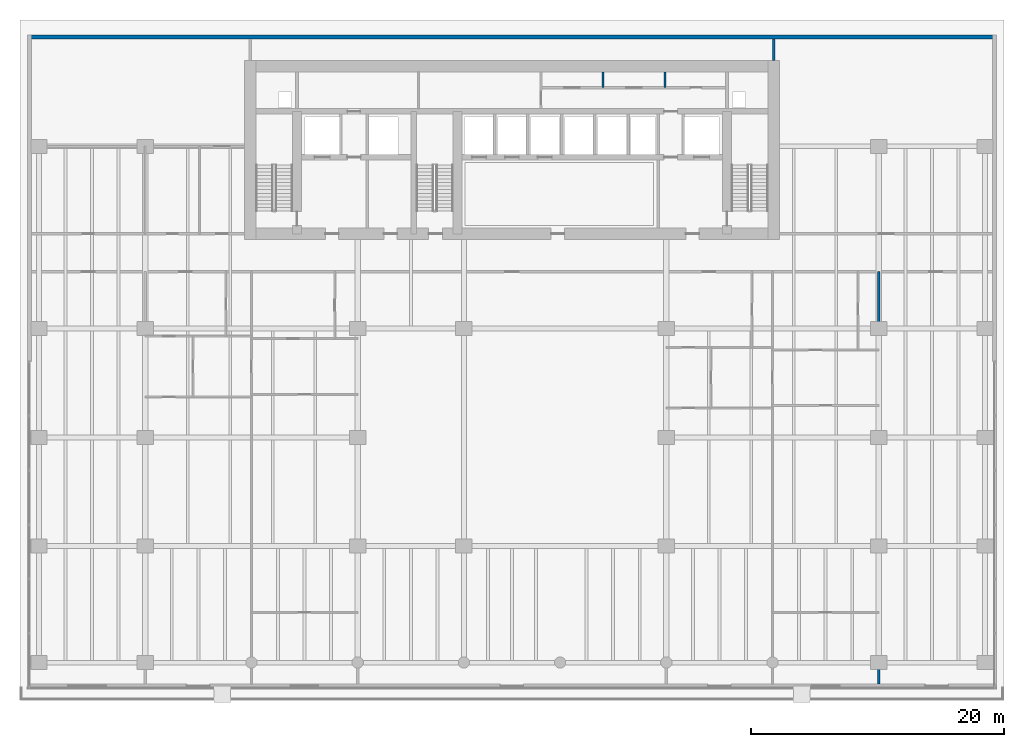
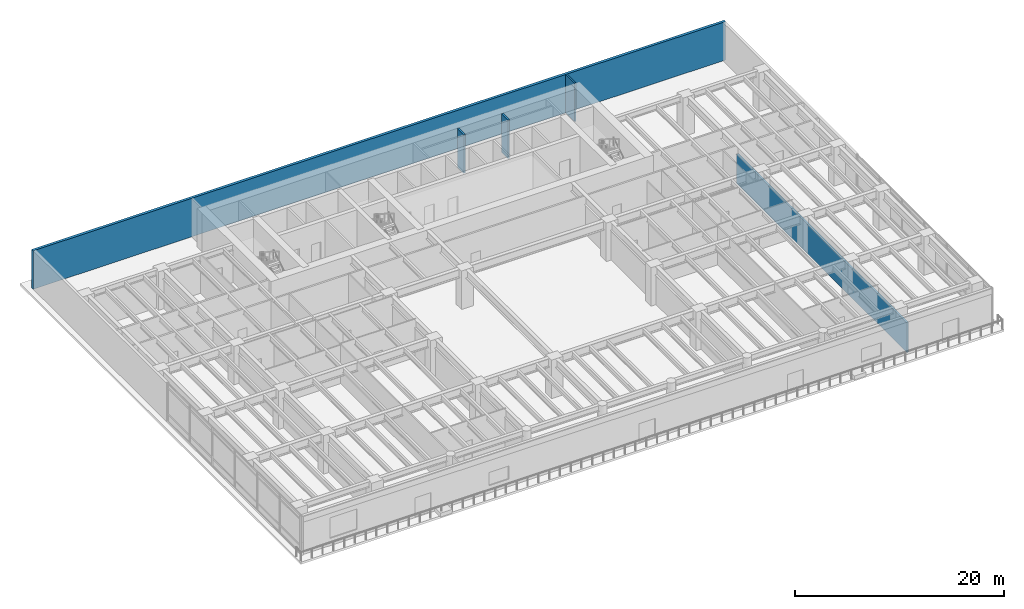
# One storey, part 12 of 17: 5 walls.
"""IFC4 building model written with IfcOpenShell, lengths in metres."""

import ifcopenshell
import ifcopenshell.guid

model = None  # the IFC model being written
_history = None  # IfcOwnerHistory: only IFC2X3 demands one
_inside = {}  # id of a spatial element -> (the spatial element, [elements in it])
_under = {}  # id of a project, library or spatial element -> (it, [spatial elements below it])
_declared = {}  # id of a project -> (the project, [libraries it declares])
_typed = {}  # id of a type object -> (the type object, [elements of that type])
_made_of = {}  # id of a material, layer set ... -> (it, [elements and type objects made of it])


def new_model(schema):
    """Start an empty IFC model of exactly this schema.

    Asked for "IFC4X3", IfcOpenShell would pick the latest addendum, in which some entities
    have other attributes; the version numbers below select the first issue.
    IFC2X3 requires an IfcOwnerHistory on every rooted entity: one is made here for all.
    """
    global model, _history
    if schema == "IFC4X3":
        model = ifcopenshell.file(schema_version=(4, 3, 0, 0))
    else:
        model = ifcopenshell.file(schema=schema)
    _inside.clear()
    _under.clear()
    _declared.clear()
    _typed.clear()
    _made_of.clear()
    _history = None
    if model.schema == "IFC2X3":
        org = make("IfcOrganization", Name="unknown")
        user = make(
            "IfcPersonAndOrganization",
            ThePerson=make("IfcPerson", FamilyName="unknown"),
            TheOrganization=org,
        )
        app = make(
            "IfcApplication",
            ApplicationDeveloper=org,
            Version="unknown",
            ApplicationFullName="unknown",
            ApplicationIdentifier="unknown",
        )
        _history = make(
            "IfcOwnerHistory",
            OwningUser=user,
            OwningApplication=app,
            ChangeAction="ADDED",
            CreationDate=0,
        )
    return model


def make(cls, **values):
    """One entity of the class cls with the attributes given. An attribute that is None is left unset."""
    return model.create_entity(
        cls, **{name: value for name, value in values.items() if value is not None}
    )


def rooted(cls, **values):
    """An entity with a GlobalId (a new one), such as an element, a storey or a relation."""
    return make(cls, GlobalId=ifcopenshell.guid.new(), OwnerHistory=_history, **values)


def si_unit(unit_type, name, prefix=None):
    """IfcSIUnit, for example si_unit("LENGTHUNIT", "METRE", prefix="MILLI")."""
    return make("IfcSIUnit", UnitType=unit_type, Prefix=prefix, Name=name)


def assignment(units):
    """IfcUnitAssignment: the units of a project."""
    return None if units is None else make("IfcUnitAssignment", Units=units)


def point(xyz):
    """IfcCartesianPoint."""
    return None if xyz is None else make("IfcCartesianPoint", Coordinates=xyz)


def direction(xyz):
    """IfcDirection."""
    return None if xyz is None else make("IfcDirection", DirectionRatios=xyz)


def frame(location, z_axis=None, x_axis=None):
    """IfcAxis2Placement3D, a coordinate frame: its origin and axes. An axis left out is left unset."""
    return make(
        "IfcAxis2Placement3D",
        Location=point(location),
        Axis=direction(z_axis),
        RefDirection=direction(x_axis),
    )


def frame_2d(location, x_axis=None):
    """IfcAxis2Placement2D, a coordinate frame in the plane: its origin and x axis."""
    return make(
        "IfcAxis2Placement2D", Location=point(location), RefDirection=direction(x_axis)
    )


def origin():
    """The frame at (0, 0, 0) with its axes left unset."""
    return frame((0.0, 0.0, 0.0))


def place(relative_to, where):
    """IfcLocalPlacement: puts the frame where relative to a parent placement (None: the world)."""
    return make(
        "IfcLocalPlacement", PlacementRelTo=relative_to, RelativePlacement=where
    )


def context(
    kind, dimensions, precision=None, world=None, true_north=None, identifier=None
):
    """IfcGeometricRepresentationContext, for example the 3D "Model" context."""
    return make(
        "IfcGeometricRepresentationContext",
        ContextIdentifier=identifier,
        ContextType=kind,
        CoordinateSpaceDimension=dimensions,
        Precision=precision,
        WorldCoordinateSystem=world,
        TrueNorth=true_north,
    )


def subcontext(parent, identifier, kind, view, scale=None):
    """IfcGeometricRepresentationSubContext, for example "Body" below "Model"."""
    return make(
        "IfcGeometricRepresentationSubContext",
        ContextIdentifier=identifier,
        ContextType=kind,
        ParentContext=parent,
        TargetScale=scale,
        TargetView=view,
    )


def project(units=None, contexts=None):
    """IfcProject with its units and contexts."""
    return rooted(
        "IfcProject",
        Name="project",
        RepresentationContexts=contexts,
        UnitsInContext=assignment(units),
    )


def spatial(cls, under=None, at=None, **own):
    """A site, building, storey or space (cls), placed at a placement, below another one or the project."""
    s = rooted(cls, ObjectPlacement=at, **own)
    if under is not None:
        _under.setdefault(under.id(), (under, []))[1].append(s)
    return s


def profile(cls, at=None, kind="AREA", **sizes):
    """A parametric profile (cls). Its sizes go by their IFC names, for example OverallWidth=200.0."""
    return make(cls, ProfileType=kind, Position=at, **sizes)


def rectangle(**sizes):
    """IfcRectangleProfileDef."""
    return profile("IfcRectangleProfileDef", **sizes)


def extrude(swept, where, along, depth):
    """IfcExtrudedAreaSolid: the profile swept, set in the frame where, extruded along a direction by depth."""
    return make(
        "IfcExtrudedAreaSolid",
        SweptArea=swept,
        Position=where,
        ExtrudedDirection=direction(along),
        Depth=depth,
    )


def shape(context_of_items, identifier, shape_type, items):
    """IfcShapeRepresentation: the items that make up one representation, for example the "Body"."""
    return make(
        "IfcShapeRepresentation",
        ContextOfItems=context_of_items,
        RepresentationIdentifier=identifier,
        RepresentationType=shape_type,
        Items=items,
    )


def material(Name=None, Category=None):
    """IfcMaterial."""
    return make("IfcMaterial", Name=Name, Category=Category)


def layer(
    of_material, thickness, ventilated=None, Name=None, Category=None, Priority=None
):
    """IfcMaterialLayer: one layer of a wall or slab, of a material (None: an air gap)."""
    return make(
        "IfcMaterialLayer",
        Material=of_material,
        LayerThickness=thickness,
        IsVentilated=ventilated,
        Name=Name,
        Category=Category,
        Priority=Priority,
    )


def layer_set(layers, Name=None):
    """IfcMaterialLayerSet."""
    return make("IfcMaterialLayerSet", MaterialLayers=layers, LayerSetName=Name)


def made_of(thing, what):
    """Note that an element or type object is made of a material, layer set ...; save() writes the relation."""
    if what is not None:
        _made_of.setdefault(what.id(), (what, []))[1].append(thing)
    return thing


def type_object(cls, material=None, **own):
    """A type object (cls), such as IfcWallType, which elements share."""
    return made_of(rooted(cls, **own), material)


def element(
    cls,
    number,
    at=None,
    inside=None,
    cuts=None,
    type_object=None,
    material=None,
    context=None,
    identifier="Body",
    shape_type=None,
    held_by="IfcProductDefinitionShape",
    body=None,
    shapes=None,
    **own,
):
    """One element of the class cls, such as IfcWall. Its Tag is "e" and its number.

    at: its placement. inside: the storey or other place that contains it. cuts: it is an
    opening in that element (IfcRelVoidsElement). A single representation is given by context,
    identifier, shape_type and body (its items); several are given by shapes. held_by: the class
    of the entity that holds the representations. save() writes the other relations.
    """
    e = rooted(cls, Tag="e%d" % number, ObjectPlacement=at, **own)
    if body is not None:
        shapes = [shape(context, identifier, shape_type, body)]
    if shapes is not None:
        e.Representation = make(held_by, Representations=shapes)
    if inside is not None:
        _inside.setdefault(inside.id(), (inside, []))[1].append(e)
    if cuts is not None:
        rooted(
            "IfcRelVoidsElement", RelatingBuildingElement=cuts, RelatedOpeningElement=e
        )
    if type_object is not None:
        _typed.setdefault(type_object.id(), (type_object, []))[1].append(e)
    return made_of(e, material)


def aggregate(whole, parts):
    """IfcRelAggregates: a whole, such as a stair, and the parts it consists of."""
    return rooted("IfcRelAggregates", RelatingObject=whole, RelatedObjects=parts)


def save(model, path):
    """Write the relations noted so far, then the file.

    IfcRelAggregates (storeys below a building ...), IfcRelContainedInSpatialStructure (elements
    in a storey), IfcRelDefinesByType, IfcRelAssociatesMaterial and IfcRelDeclares: one each for
    every whole, place, type object, material and project.
    """
    for whole, parts in _under.values():
        aggregate(whole, parts)
    for where, things in _inside.values():
        rooted(
            "IfcRelContainedInSpatialStructure",
            RelatedElements=things,
            RelatingStructure=where,
        )
    for kind, things in _typed.values():
        rooted("IfcRelDefinesByType", RelatedObjects=things, RelatingType=kind)
    for what, things in _made_of.values():
        rooted("IfcRelAssociatesMaterial", RelatedObjects=things, RelatingMaterial=what)
    for by, libraries in _declared.values():
        rooted("IfcRelDeclares", RelatingContext=by, RelatedDefinitions=libraries)
    model.write(path)


model = new_model("IFC4")

# Units and contexts
model_context = context("Model", 3, precision=1e-05, world=origin(), true_north=direction((0.0, 1.0)))
body_context = subcontext(model_context, "Body", "Model", "MODEL_VIEW")
ifc_project = project(units=[si_unit("LENGTHUNIT", "METRE"), si_unit("AREAUNIT", "SQUARE_METRE"), si_unit("VOLUMEUNIT", "CUBIC_METRE"), si_unit("PLANEANGLEUNIT", "RADIAN"), si_unit("MASSUNIT", "GRAM", prefix="KILO")], contexts=[model_context])

# Site, building, storey
site_placement = place(None, origin())
site = spatial("IfcSite", under=ifc_project, at=site_placement, CompositionType="ELEMENT")
building_placement = place(site_placement, origin())
building = spatial("IfcBuilding", under=site, at=building_placement, Name="Caelmar Bay Residences", CompositionType="ELEMENT")
storey_placement = place(building_placement, frame((0.0, 0.0, 10.199951171875)))
storey = spatial("IfcBuildingStorey", under=building, at=storey_placement, Name="L02", CompositionType="ELEMENT", Elevation=10.199951171875)

# Walls
ifc_material_1 = material(Name="Double-stud acoustic fire-rated gypsum partition 180 mm")
ifc_layer_1 = layer(ifc_material_1, 0.179931640625)
ifc_layer_set_1 = layer_set([ifc_layer_1], Name="Double-stud acoustic fire-rated gypsum partition 180 mm")
wall_type_1 = type_object("IfcWallType", Name="W-COR-200", PredefinedType="PARTITIONING", material=ifc_layer_set_1)
for number, where, z_axis, x_axis, name in (
    (1, (46.10009765625, 48.449951171875, 0.0), (0.0, 0.0, 1.0), (0.0, 1.0, 0.0), "L02 Partition Wall V020"),
    (2, (51.0, 48.449951171875, 0.0), (0.0, 0.0, 1.0), (0.0, 1.0, 0.0), "L02 Partition Wall V024"),
):
    element("IfcWall", number, at=place(storey_placement, frame(where, z_axis=z_axis, x_axis=x_axis)), inside=storey, type_object=wall_type_1, Name=name, PredefinedType="PARTITIONING", context=body_context, shape_type="SweptSolid", body=[
        extrude(rectangle(XDim=1.255126953125, YDim=0.179931640625, at=frame_2d((0.62744140625, 0.0))), origin(), (0.0, 0.0, 1.0), 4.5),
    ])
wall_1_placement = place(storey_placement, frame((59.60009765625, 50.60498046875, 0.0), z_axis=(0.0, 0.0, 1.0), x_axis=(0.0, 1.0, 0.0)))
element("IfcWall", 3, at=wall_1_placement, inside=storey, type_object=wall_type_1, Name="L02 Partition Wall V031", PredefinedType="PARTITIONING", context=body_context, shape_type="SweptSolid", body=[
    extrude(rectangle(XDim=1.699951171875, YDim=0.179931640625, at=frame_2d((0.85009765625, 0.0))), origin(), (0.0, 0.0, 1.0), 4.5),
])
ifc_material_2 = material(Name="Precast concrete f'c 40 MPa (6,000 psi)", Category="concrete")
ifc_layer_2 = layer(ifc_material_2, 0.300048828125)
ifc_layer_set_2 = layer_set([ifc_layer_2], Name="Precast concrete f'c 40 MPa (6,000 psi)")
wall_type_2 = type_object("IfcWallType", Name="W-EXT-300", PredefinedType="STANDARD", material=ifc_layer_set_2)
wall_2_placement = place(storey_placement, frame((0.60009765625, 52.449951171875, 0.0), z_axis=(0.0, 0.0, 1.0), x_axis=(1.0, 0.0, 0.0)))
element("IfcWall", 4, at=wall_2_placement, inside=storey, type_object=wall_type_2, Name="L02 North Podium Exterior Wall", PredefinedType="STANDARD", context=body_context, shape_type="SweptSolid", body=[
    extrude(rectangle(XDim=76.599853515625, YDim=0.300048828125, at=frame_2d((38.2998046875, 0.0))), origin(), (0.0, 0.0, 1.0), 4.5),
])
ifc_material_3 = material(Name="Acoustic twin-stud fire-rated inter-tenancy partition 200 mm")
ifc_layer_3 = layer(ifc_material_3, 0.199951171875)
ifc_layer_set_3 = layer_set([ifc_layer_3], Name="Acoustic twin-stud fire-rated inter-tenancy partition 200 mm")
wall_type_3 = type_object("IfcWallType", Name="W-PTY-200", PredefinedType="PARTITIONING", material=ifc_layer_set_3)
wall_3_placement = place(storey_placement, frame((67.89990234375, 1.294921875, 0.0), z_axis=(0.0, 0.0, 1.0), x_axis=(0.0, 1.0, 0.0)))
element("IfcWall", 5, at=wall_3_placement, inside=storey, type_object=wall_type_3, Name="L02 Partition Wall V033", PredefinedType="PARTITIONING", context=body_context, shape_type="SweptSolid", body=[
    extrude(rectangle(XDim=32.60498046875, YDim=0.199951171875, at=frame_2d((16.302490234375, 0.0))), origin(), (0.0, 0.0, 1.0), 3.464111328125),
])

save(model, "model.ifc")
